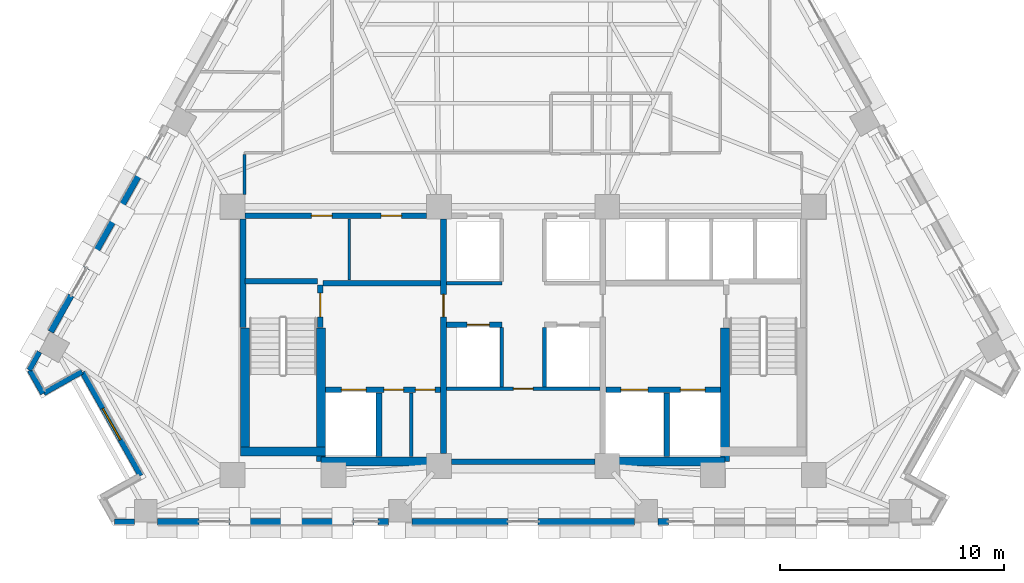
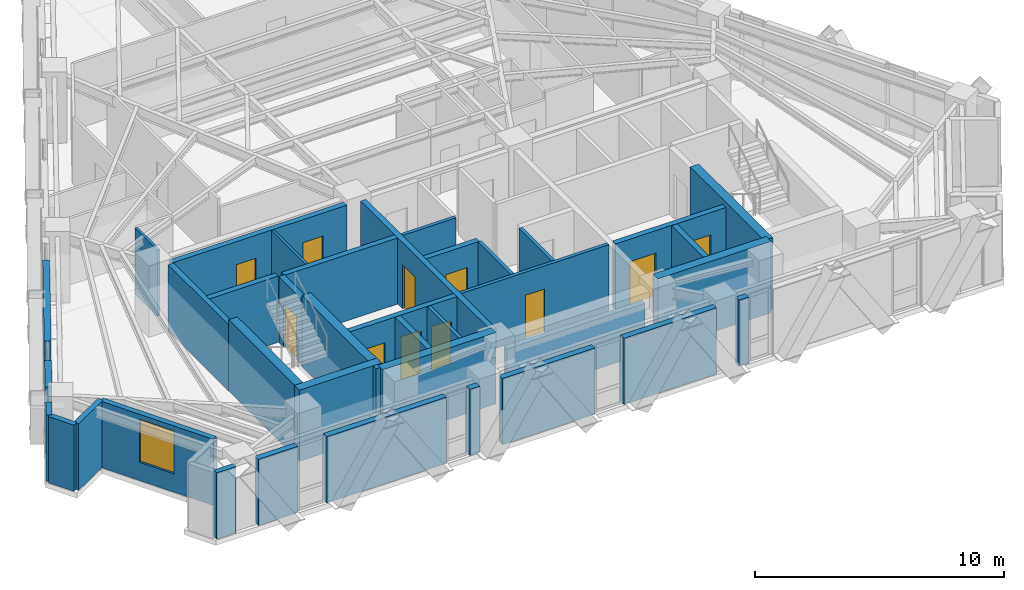
# One storey, part 7 of 13: 38 walls, 11 doors, 1 window, 12 openings.
"""IFC4 building model written with IfcOpenShell, lengths in metres."""

from ifc_helpers import new_model, si_unit, direction, frame, frame_2d, origin, place, context, subcontext, project, spatial, rectangle, extrude, material, layer, layer_set, type_object, element, fill, save


model = new_model("IFC4")

# Units and contexts
model_context = context("Model", 3, precision=1e-05, world=origin(), true_north=direction((0.0, 1.0)))
body_context = subcontext(model_context, "Body", "Model", "MODEL_VIEW")
ifc_project = project(units=[si_unit("LENGTHUNIT", "METRE"), si_unit("AREAUNIT", "SQUARE_METRE"), si_unit("VOLUMEUNIT", "CUBIC_METRE"), si_unit("PLANEANGLEUNIT", "RADIAN"), si_unit("MASSUNIT", "GRAM", prefix="KILO")], contexts=[model_context])

# Site, building, storey
site_placement = place(None, origin())
site = spatial("IfcSite", under=ifc_project, at=site_placement, CompositionType="ELEMENT")
building_placement = place(site_placement, origin())
building = spatial("IfcBuilding", under=site, at=building_placement, Name="Quenlor Broadcast Tower", CompositionType="ELEMENT")
storey_placement = place(building_placement, frame((0.0, 0.0, 158.0)))
storey = spatial("IfcBuildingStorey", under=building, at=storey_placement, Name="L43", CompositionType="ELEMENT", Elevation=158.0)

# Walls
ifc_material_1 = material(Name="Concrete C50/60", Category="concrete")
ifc_layer_1 = layer(ifc_material_1, 0.39990234375)
ifc_layer_set_1 = layer_set([ifc_layer_1], Name="Core Concrete C50/60 Shear Wall 400")
wall_type_1 = type_object("IfcWallType", Name="Core Concrete C50/60 Shear Wall 400", PredefinedType="SHEAR", material=ifc_layer_set_1)
wall_1_placement = place(storey_placement, frame((-12.60009765625, -15.699951171875, 0.0), z_axis=(0.0, 0.0, 1.0), x_axis=(1.0, 0.0, 0.0)))
element("IfcWall", 1, at=wall_1_placement, inside=storey, type_object=wall_type_1, Name="L43 Core Shear Wall WS-W1", PredefinedType="SHEAR", context=body_context, shape_type="SweptSolid", body=[
    extrude(rectangle(XDim=3.800048828125, YDim=0.39990234375, at=frame_2d((1.89990234375, 0.0))), origin(), (0.0, 0.0, 1.0), 3.5),
])
for number, where, z_axis, x_axis, name in (
    (2, (-9.0, -16.14990234375, 0.0), (0.0, 0.0, 1.0), (1.0, 0.0, 0.0), "L43 Core Shear Wall WS-W2"),
    (3, (3.75, -16.14990234375, 0.0), (0.0, 0.0, 1.0), (1.0, 0.0, 0.0), "L43 Core Shear Wall WS-E1"),
):
    element("IfcWall", number, at=place(storey_placement, frame(where, z_axis=z_axis, x_axis=x_axis)), inside=storey, type_object=wall_type_1, Name=name, PredefinedType="SHEAR", context=body_context, shape_type="SweptSolid", body=[
        extrude(rectangle(XDim=5.25, YDim=0.39990234375, at=frame_2d((2.625, 0.0))), origin(), (0.0, 0.0, 1.0), 3.5),
    ])
wall_2_placement = place(storey_placement, frame((-12.39990234375, -15.699951171875, 0.0), z_axis=(0.0, 0.0, 1.0), x_axis=(0.0, 1.0, 0.0)))
element("IfcWall", 4, at=wall_2_placement, inside=storey, type_object=wall_type_1, Name="L43 Core Shear Wall WF-W", PredefinedType="SHEAR", context=body_context, shape_type="SweptSolid", body=[
    extrude(rectangle(XDim=5.5, YDim=0.39990234375, at=frame_2d((2.75, 0.0))), origin(), (0.0, 0.0, 1.0), 3.5),
])
for number, where, z_axis, x_axis, name in (
    (5, (-9.0, -16.14990234375, 0.0), (0.0, 0.0, 1.0), (0.0, 1.0, 0.0), "L43 Core Shear Wall WI-W"),
    (6, (9.0, -16.14990234375, 0.0), (0.0, 0.0, 1.0), (0.0, 1.0, 0.0), "L43 Core Shear Wall WI-E"),
):
    element("IfcWall", number, at=place(storey_placement, frame(where, z_axis=z_axis, x_axis=x_axis)), inside=storey, type_object=wall_type_1, Name=name, PredefinedType="SHEAR", context=body_context, shape_type="SweptSolid", body=[
        extrude(rectangle(XDim=5.949951171875, YDim=0.39990234375, at=frame_2d((2.97509765625, 0.0))), origin(), (0.0, 0.0, 1.0), 3.5),
    ])

# Wall, opening, door
ifc_material_2 = material(Name="Concrete C40/50", Category="concrete")
ifc_layer_2 = layer(ifc_material_2, 0.25)
ifc_layer_set_2 = layer_set([ifc_layer_2], Name="Fire Rated Concrete C40/50 Core Wall 250")
wall_type_2 = type_object("IfcWallType", Name="Fire Rated Concrete C40/50 Core Wall 250", PredefinedType="PARTITIONING", material=ifc_layer_set_2)
wall_3_placement = place(storey_placement, frame((-9.0400390625, -10.179931640625, 0.0), z_axis=(0.0, 0.0, 1.0), x_axis=(0.0, 1.0, 0.0)))
wall_3 = element("IfcWall", 7, at=wall_3_placement, inside=storey, type_object=wall_type_2, Name="L43 Interior Wall CW-ST1-DR", PredefinedType="PARTITIONING", context=body_context, shape_type="SweptSolid", body=[
    extrude(rectangle(XDim=1.89990234375, YDim=0.25, at=frame_2d((0.949951171875, 0.0))), origin(), (0.0, 0.0, 1.0), 3.25),
])
opening_1_placement = place(wall_3_placement, frame((0.47998046875, 0.0, 0.0)))
opening_1 = element("IfcOpeningElement", 8, at=opening_1_placement, cuts=wall_3, Name="Opening FD-1", PredefinedType="OPENING", context=body_context, shape_type="SweptSolid", body=[
    extrude(rectangle(XDim=1.050048828125, YDim=2.14990234375, at=frame_2d((0.52490234375, 1.074951171875))), frame((0.0, 0.135009765625, 0.0), z_axis=(0.0, -1.0, 0.0), x_axis=(1.0, 0.0, 0.0)), (0.0, 0.0, 1.0), 0.27001953125),
])
ifc_material_3 = material(Name="Fire Rated Steel Door Leaf", Category="steel")
door_type_1 = type_object("IfcDoorType", Name="Fire Isolated Stair Door 1050x2150", OperationType="NOTDEFINED", PredefinedType="DOOR", material=ifc_material_3)
door_1_placement = place(opening_1_placement, origin())
door_1 = element("IfcDoor", 9, at=door_1_placement, inside=storey, type_object=door_type_1, Name="L43 Door DR-ST1", OperationType="SINGLE_SWING_LEFT", OverallHeight=2.14990234375, OverallWidth=1.050048828125, PredefinedType="DOOR", context=body_context, shape_type="SweptSolid", body=[
    extrude(rectangle(XDim=1.050048828125, YDim=2.14990234375, at=frame_2d((0.52490234375, 1.074951171875))), frame((0.0, 0.02490234375, 0.0), z_axis=(0.0, -1.0, 0.0), x_axis=(1.0, 0.0, 0.0)), (0.0, 0.0, 1.0), 0.050048828125),
])
fill(opening_1, door_1)

# Walls
wall_4_placement = place(storey_placement, frame((-12.3798828125, -8.1201171875, 0.0), z_axis=(0.0, 0.0, 1.0), x_axis=(1.0, 0.0, 0.0)))
element("IfcWall", 10, at=wall_4_placement, inside=storey, type_object=wall_type_2, Name="L43 Interior Wall CW-ST1-N", PredefinedType="PARTITIONING", context=body_context, shape_type="SweptSolid", body=[
    extrude(rectangle(XDim=3.219970703125, YDim=0.25, at=frame_2d((1.60986328125, 0.0))), origin(), (0.0, 0.0, 1.0), 3.25),
])
wall_5_placement = place(storey_placement, frame((-12.47998046875, -10.179931640625, 0.0), z_axis=(0.0, 0.0, 1.0), x_axis=(0.0, 1.0, 0.0)))
element("IfcWall", 11, at=wall_5_placement, inside=storey, type_object=wall_type_2, Name="L43 Interior Wall CW-ST1-W2", PredefinedType="PARTITIONING", context=body_context, shape_type="SweptSolid", body=[
    extrude(rectangle(XDim=4.827880859375, YDim=0.25, at=frame_2d((2.4140625, 0.0))), origin(), (0.0, 0.0, 1.0), 3.25),
])

# Wall, openings, doors
wall_6_placement = place(storey_placement, frame((-8.798095703125, -12.949951171875, 0.0), z_axis=(0.0, 0.0, 1.0), x_axis=(1.0, 0.0, 0.0)))
wall_6 = element("IfcWall", 12, at=wall_6_placement, inside=storey, type_object=wall_type_2, Name="L43 Interior Wall CW-FFW-S", PredefinedType="PARTITIONING", context=body_context, shape_type="SweptSolid", body=[
    extrude(rectangle(XDim=5.1181640625, YDim=0.25, at=frame_2d((2.55908203125, 0.0))), origin(), (0.0, 0.0, 1.0), 3.25),
])
opening_2_placement = place(wall_6_placement, frame((0.697998046875, 0.0, 0.0)))
opening_2 = element("IfcOpeningElement", 13, at=opening_2_placement, cuts=wall_6, Name="Opening LD-FFL-1", PredefinedType="OPENING", context=body_context, shape_type="SweptSolid", body=[
    extrude(rectangle(XDim=1.10009765625, YDim=2.14990234375, at=frame_2d((0.550048828125, 1.074951171875))), frame((0.0, 0.135009765625, 0.0), z_axis=(0.0, -1.0, 0.0), x_axis=(1.0, 0.0, 0.0)), (0.0, 0.0, 1.0), 0.27001953125),
])
opening_3_placement = place(wall_6_placement, frame((2.597900390625, 0.0, 0.0)))
opening_3 = element("IfcOpeningElement", 14, at=opening_3_placement, cuts=wall_6, Name="Opening TD-1", PredefinedType="OPENING", context=body_context, shape_type="SweptSolid", body=[
    extrude(rectangle(XDim=0.8798828125, YDim=2.10009765625, at=frame_2d((0.43994140625, 1.050048828125))), frame((0.0, 0.135009765625, 0.0), z_axis=(0.0, -1.0, 0.0), x_axis=(1.0, 0.0, 0.0)), (0.0, 0.0, 1.0), 0.27001953125),
])
opening_4_placement = place(wall_6_placement, frame((3.998046875, 0.0, 0.0)))
opening_4 = element("IfcOpeningElement", 15, at=opening_4_placement, cuts=wall_6, Name="Opening TD-1", PredefinedType="OPENING", context=body_context, shape_type="SweptSolid", body=[
    extrude(rectangle(XDim=0.8798828125, YDim=2.10009765625, at=frame_2d((0.43994140625, 1.050048828125))), frame((0.0, 0.135009765625, 0.0), z_axis=(0.0, -1.0, 0.0), x_axis=(1.0, 0.0, 0.0)), (0.0, 0.0, 1.0), 0.27001953125),
])
ifc_material_4 = material(Name="Brushed Stainless Steel", Category="steel")
door_type_2 = type_object("IfcDoorType", Name="Emergency Lift Sliding Landing Door 1100x2150", OperationType="NOTDEFINED", PredefinedType="DOOR", material=ifc_material_4)
door_2_placement = place(opening_2_placement, origin())
door_2 = element("IfcDoor", 16, at=door_2_placement, inside=storey, type_object=door_type_2, Name="L43 Door LD-FFL-1", OperationType="SLIDING_TO_LEFT", OverallHeight=2.14990234375, OverallWidth=1.10009765625, PredefinedType="DOOR", context=body_context, shape_type="SweptSolid", body=[
    extrude(rectangle(XDim=1.10009765625, YDim=2.14990234375, at=frame_2d((0.550048828125, 1.074951171875))), frame((0.0, 0.02490234375, 0.0), z_axis=(0.0, -1.0, 0.0), x_axis=(1.0, 0.0, 0.0)), (0.0, 0.0, 1.0), 0.050048828125),
])
fill(opening_2, door_2)
ifc_material_5 = material(Name="Fire Rated Steel Access Panel", Category="steel")
door_type_3 = type_object("IfcDoorType", Name="Riser Shaft Rated Access Trapdoor 880x2100", OperationType="NOTDEFINED", PredefinedType="TRAPDOOR", material=ifc_material_5)
door_3_placement = place(opening_3_placement, origin())
door_3 = element("IfcDoor", 17, at=door_3_placement, inside=storey, type_object=door_type_3, Name="L43 Door DR-ELR", OperationType="SINGLE_SWING_LEFT", OverallHeight=2.10009765625, OverallWidth=0.8798828125, PredefinedType="TRAPDOOR", context=body_context, shape_type="SweptSolid", body=[
    extrude(rectangle(XDim=0.8798828125, YDim=2.10009765625, at=frame_2d((0.43994140625, 1.050048828125))), frame((0.0, 0.02490234375, 0.0), z_axis=(0.0, -1.0, 0.0), x_axis=(1.0, 0.0, 0.0)), (0.0, 0.0, 1.0), 0.050048828125),
])
fill(opening_3, door_3)
door_4_placement = place(opening_4_placement, origin())
door_4 = element("IfcDoor", 18, at=door_4_placement, inside=storey, type_object=door_type_3, Name="L43 Door DR-CMR", OperationType="SINGLE_SWING_RIGHT", OverallHeight=2.10009765625, OverallWidth=0.8798828125, PredefinedType="TRAPDOOR", context=body_context, shape_type="SweptSolid", body=[
    extrude(rectangle(XDim=0.8798828125, YDim=2.10009765625, at=frame_2d((0.43994140625, 1.050048828125))), frame((0.0, 0.02490234375, 0.0), z_axis=(0.0, -1.0, 0.0), x_axis=(1.0, 0.0, 0.0)), (0.0, 0.0, 1.0), 0.050048828125),
])
fill(opening_4, door_4)

wall_7_placement = place(storey_placement, frame((3.679931640625, -12.949951171875, 0.0), z_axis=(0.0, 0.0, 1.0), x_axis=(1.0, 0.0, 0.0)))
wall_7 = element("IfcWall", 19, at=wall_7_placement, inside=storey, type_object=wall_type_2, Name="L43 Interior Wall CW-FFE-S", PredefinedType="PARTITIONING", context=body_context, shape_type="SweptSolid", body=[
    extrude(rectangle(XDim=5.1181640625, YDim=0.25, at=frame_2d((2.55908203125, 0.0))), origin(), (0.0, 0.0, 1.0), 3.25),
])
opening_5_placement = place(wall_7_placement, frame((3.320068359375, 0.0, 0.0)))
opening_5 = element("IfcOpeningElement", 20, at=opening_5_placement, cuts=wall_7, Name="Opening LD-FFL-2", PredefinedType="OPENING", context=body_context, shape_type="SweptSolid", body=[
    extrude(rectangle(XDim=1.10009765625, YDim=2.14990234375, at=frame_2d((0.550048828125, 1.074951171875))), frame((0.0, 0.135009765625, 0.0), z_axis=(0.0, -1.0, 0.0), x_axis=(1.0, 0.0, 0.0)), (0.0, 0.0, 1.0), 0.27001953125),
])
opening_6_placement = place(wall_7_placement, frame((0.669921875, 0.0, 0.0)))
opening_6 = element("IfcOpeningElement", 21, at=opening_6_placement, cuts=wall_7, Name="Opening LD-SVL-1", PredefinedType="OPENING", context=body_context, shape_type="SweptSolid", body=[
    extrude(rectangle(XDim=1.199951171875, YDim=2.14990234375, at=frame_2d((0.60009765625, 1.074951171875))), frame((0.0, 0.135009765625, 0.0), z_axis=(0.0, -1.0, 0.0), x_axis=(1.0, 0.0, 0.0)), (0.0, 0.0, 1.0), 0.27001953125),
])
door_5_placement = place(opening_5_placement, origin())
door_5 = element("IfcDoor", 22, at=door_5_placement, inside=storey, type_object=door_type_2, Name="L43 Door LD-FFL-2", OperationType="SLIDING_TO_RIGHT", OverallHeight=2.14990234375, OverallWidth=1.10009765625, PredefinedType="DOOR", context=body_context, shape_type="SweptSolid", body=[
    extrude(rectangle(XDim=1.10009765625, YDim=2.14990234375, at=frame_2d((0.550048828125, 1.074951171875))), frame((0.0, 0.02490234375, 0.0), z_axis=(0.0, -1.0, 0.0), x_axis=(1.0, 0.0, 0.0)), (0.0, 0.0, 1.0), 0.050048828125),
])
fill(opening_5, door_5)
ifc_material_6 = material(Name="Brushed Stainless Steel", Category="steel")
door_type_4 = type_object("IfcDoorType", Name="Goods Lift Sliding Landing Door 1200x2150", OperationType="NOTDEFINED", PredefinedType="DOOR", material=ifc_material_6)
door_6_placement = place(opening_6_placement, origin())
door_6 = element("IfcDoor", 23, at=door_6_placement, inside=storey, type_object=door_type_4, Name="L43 Door LD-SVL-1", OperationType="SLIDING_TO_LEFT", OverallHeight=2.14990234375, OverallWidth=1.199951171875, PredefinedType="DOOR", context=body_context, shape_type="SweptSolid", body=[
    extrude(rectangle(XDim=1.199951171875, YDim=2.14990234375, at=frame_2d((0.60009765625, 1.074951171875))), frame((0.0, 0.02490234375, 0.0), z_axis=(0.0, -1.0, 0.0), x_axis=(1.0, 0.0, 0.0)), (0.0, 0.0, 1.0), 0.050048828125),
])
fill(opening_6, door_6)

# Walls
for number, where, z_axis, x_axis, name in (
    (24, (-6.419921875, -15.919921875, 0.0), (0.0, 0.0, 1.0), (0.0, 1.0, 0.0), "L43 Interior Wall CW-FF1-E"),
    (25, (6.39990234375, -15.919921875, 0.0), (0.0, 0.0, 1.0), (0.0, 1.0, 0.0), "L43 Interior Wall CW-SV1-E"),
):
    element("IfcWall", number, at=place(storey_placement, frame(where, z_axis=z_axis, x_axis=x_axis)), inside=storey, type_object=wall_type_2, Name=name, PredefinedType="PARTITIONING", context=body_context, shape_type="SweptSolid", body=[
        extrude(rectangle(XDim=2.829833984375, YDim=0.25, at=frame_2d((1.4150390625, 0.0))), origin(), (0.0, 0.0, 1.0), 3.25),
    ])
wall_8_placement = place(storey_placement, frame((-8.919921875, -8.199951171875, 0.0), z_axis=(0.0, 0.0, 1.0), x_axis=(1.0, 0.0, 0.0)))
element("IfcWall", 26, at=wall_8_placement, inside=storey, type_object=wall_type_2, Name="L43 Interior Wall CW-FFW-N", PredefinedType="PARTITIONING", context=body_context, shape_type="SweptSolid", body=[
    extrude(rectangle(XDim=5.239990234375, YDim=0.25, at=frame_2d((2.6201171875, 0.0))), origin(), (0.0, 0.0, 1.0), 3.25),
])

# Wall, opening, door
wall_9_placement = place(storey_placement, frame((-3.550048828125, -15.798095703125, 0.0), z_axis=(0.0, 0.0, 1.0), x_axis=(0.0, 1.0, 0.0)))
wall_9 = element("IfcWall", 27, at=wall_9_placement, inside=storey, type_object=wall_type_2, Name="L43 Interior Wall CW-FFW-E", PredefinedType="PARTITIONING", context=body_context, shape_type="SweptSolid", body=[
    extrude(rectangle(XDim=10.446044921875, YDim=0.25, at=frame_2d((5.22314453125, 0.0))), origin(), (0.0, 0.0, 1.0), 3.25),
])
opening_7_placement = place(wall_9_placement, frame((6.097900390625, 0.0, 0.0)))
opening_7 = element("IfcOpeningElement", 28, at=opening_7_placement, cuts=wall_9, Name="Opening FD-2", PredefinedType="OPENING", context=body_context, shape_type="SweptSolid", body=[
    extrude(rectangle(XDim=1.0, YDim=2.14990234375, at=frame_2d((0.5, 1.074951171875))), frame((0.0, 0.135009765625, 0.0), z_axis=(0.0, -1.0, 0.0), x_axis=(1.0, 0.0, 0.0)), (0.0, 0.0, 1.0), 0.27001953125),
])
ifc_material_7 = material(Name="Fire Rated Glazed Steel Door", Category="steel")
door_type_5 = type_object("IfcDoorType", Name="Firefighting Lobby Smoke Door 1000x2150", OperationType="NOTDEFINED", PredefinedType="DOOR", material=ifc_material_7)
door_7_placement = place(opening_7_placement, origin())
door_7 = element("IfcDoor", 29, at=door_7_placement, inside=storey, type_object=door_type_5, Name="L43 Door DR-FFLW", OperationType="SINGLE_SWING_RIGHT", OverallHeight=2.14990234375, OverallWidth=1.0, PredefinedType="DOOR", context=body_context, shape_type="SweptSolid", body=[
    extrude(rectangle(XDim=1.0, YDim=2.14990234375, at=frame_2d((0.5, 1.074951171875))), frame((0.0, 0.02490234375, 0.0), z_axis=(0.0, -1.0, 0.0), x_axis=(1.0, 0.0, 0.0)), (0.0, 0.0, 1.0), 0.050048828125),
])
fill(opening_7, door_7)

# Wall, openings, doors
wall_10_placement = place(storey_placement, frame((-12.39794921875, -5.199951171875, 0.0), z_axis=(0.0, 0.0, 1.0), x_axis=(1.0, 0.0, 0.0)))
wall_10 = element("IfcWall", 30, at=wall_10_placement, inside=storey, type_object=wall_type_2, Name="L43 Interior Wall CW-N-W", PredefinedType="PARTITIONING", context=body_context, shape_type="SweptSolid", body=[
    extrude(rectangle(XDim=8.095947265625, YDim=0.25, at=frame_2d((4.0478515625, 0.0))), origin(), (0.0, 0.0, 1.0), 3.25),
])
opening_8_placement = place(wall_10_placement, frame((2.968017578125, 0.0, 0.0)))
opening_8 = element("IfcOpeningElement", 31, at=opening_8_placement, cuts=wall_10, Name="Opening ID-1", PredefinedType="OPENING", context=body_context, shape_type="SweptSolid", body=[
    extrude(rectangle(XDim=0.919921875, YDim=2.1201171875, at=frame_2d((0.4599609375, 1.06005859375))), frame((0.0, 0.135009765625, 0.0), z_axis=(0.0, -1.0, 0.0), x_axis=(1.0, 0.0, 0.0)), (0.0, 0.0, 1.0), 0.27001953125),
])
opening_9_placement = place(wall_10_placement, frame((6.068115234375, 0.0, 0.0)))
opening_9 = element("IfcOpeningElement", 32, at=opening_9_placement, cuts=wall_10, Name="Opening ID-1", PredefinedType="OPENING", context=body_context, shape_type="SweptSolid", body=[
    extrude(rectangle(XDim=0.919921875, YDim=2.1201171875, at=frame_2d((0.4599609375, 1.06005859375))), frame((0.0, 0.135009765625, 0.0), z_axis=(0.0, -1.0, 0.0), x_axis=(1.0, 0.0, 0.0)), (0.0, 0.0, 1.0), 0.27001953125),
])
ifc_material_8 = material(Name="Solid Core Timber Oak", Category="wood")
door_type_6 = type_object("IfcDoorType", Name="Single Leaf Timber Office Door 920x2120", OperationType="NOTDEFINED", PredefinedType="DOOR", material=ifc_material_8)
door_8_placement = place(opening_8_placement, origin())
door_8 = element("IfcDoor", 33, at=door_8_placement, inside=storey, type_object=door_type_6, Name="L43 Door DR-RCL1", OperationType="SINGLE_SWING_LEFT", OverallHeight=2.1201171875, OverallWidth=0.919921875, PredefinedType="DOOR", context=body_context, shape_type="SweptSolid", body=[
    extrude(rectangle(XDim=0.919921875, YDim=2.1201171875, at=frame_2d((0.4599609375, 1.06005859375))), frame((0.0, 0.02490234375, 0.0), z_axis=(0.0, -1.0, 0.0), x_axis=(1.0, 0.0, 0.0)), (0.0, 0.0, 1.0), 0.050048828125),
])
fill(opening_8, door_8)
door_9_placement = place(opening_9_placement, origin())
door_9 = element("IfcDoor", 34, at=door_9_placement, inside=storey, type_object=door_type_6, Name="L43 Door DR-RCL2", OperationType="SINGLE_SWING_RIGHT", OverallHeight=2.1201171875, OverallWidth=0.919921875, PredefinedType="DOOR", context=body_context, shape_type="SweptSolid", body=[
    extrude(rectangle(XDim=0.919921875, YDim=2.1201171875, at=frame_2d((0.4599609375, 1.06005859375))), frame((0.0, 0.02490234375, 0.0), z_axis=(0.0, -1.0, 0.0), x_axis=(1.0, 0.0, 0.0)), (0.0, 0.0, 1.0), 0.050048828125),
])
fill(opening_9, door_9)

# Wall
wall_11_placement = place(storey_placement, frame((-3.197998046875, -16.14990234375, 0.0), z_axis=(0.0, 0.0, 1.0), x_axis=(1.0, 0.0, 0.0)))
element("IfcWall", 35, at=wall_11_placement, inside=storey, type_object=wall_type_2, Name="L43 Interior Wall CW-MS-S", PredefinedType="PARTITIONING", context=body_context, shape_type="SweptSolid", body=[
    extrude(rectangle(XDim=6.39599609375, YDim=0.25, at=frame_2d((3.197998046875, 0.0))), origin(), (0.0, 0.0, 1.0), 2.449951171875),
])

# Wall, opening, door
wall_12_placement = place(storey_placement, frame((-3.419921875, -10.050048828125, 0.0), z_axis=(0.0, 0.0, 1.0), x_axis=(1.0, 0.0, 0.0)))
wall_12 = element("IfcWall", 36, at=wall_12_placement, inside=storey, type_object=wall_type_2, Name="L43 Interior Wall CW-MS-N1", PredefinedType="PARTITIONING", context=body_context, shape_type="SweptSolid", body=[
    extrude(rectangle(XDim=2.469970703125, YDim=0.25, at=frame_2d((1.23486328125, 0.0))), origin(), (0.0, 0.0, 1.0), 3.25),
])
opening_10_placement = place(wall_12_placement, frame((0.919921875, 0.0, 0.0)))
opening_10 = element("IfcOpeningElement", 37, at=opening_10_placement, cuts=wall_12, Name="Opening LD-PL-M3", PredefinedType="OPENING", context=body_context, shape_type="SweptSolid", body=[
    extrude(rectangle(XDim=1.0, YDim=2.14990234375, at=frame_2d((0.5, 1.074951171875))), frame((0.0, 0.135009765625, 0.0), z_axis=(0.0, -1.0, 0.0), x_axis=(1.0, 0.0, 0.0)), (0.0, 0.0, 1.0), 0.27001953125),
])
ifc_material_9 = material(Name="Brushed Stainless Steel", Category="steel")
door_type_7 = type_object("IfcDoorType", Name="Passenger Lift Sliding Landing Door 1000x2150", OperationType="NOTDEFINED", PredefinedType="DOOR", material=ifc_material_9)
door_10_placement = place(opening_10_placement, origin())
door_10 = element("IfcDoor", 38, at=door_10_placement, inside=storey, type_object=door_type_7, Name="L43 Door LD-PL-M3", OperationType="SLIDING_TO_LEFT", OverallHeight=2.14990234375, OverallWidth=1.0, PredefinedType="DOOR", context=body_context, shape_type="SweptSolid", body=[
    extrude(rectangle(XDim=1.0, YDim=2.14990234375, at=frame_2d((0.5, 1.074951171875))), frame((0.0, 0.02490234375, 0.0), z_axis=(0.0, -1.0, 0.0), x_axis=(1.0, 0.0, 0.0)), (0.0, 0.0, 1.0), 0.050048828125),
])
fill(opening_10, door_10)

# Walls
ifc_material_10 = material(Name="Gypsum Fireboard Partition", Category="other")
ifc_layer_3 = layer(ifc_material_10, 0.159912109375)
ifc_layer_set_3 = layer_set([ifc_layer_3], Name="Fire Rated Shaft and Corridor Partition 160")
wall_type_3 = type_object("IfcWallType", Name="Fire Rated Shaft and Corridor Partition 160", PredefinedType="PARTITIONING", material=ifc_layer_set_3)
wall_13_placement = place(storey_placement, frame((-4.97998046875, -15.919921875, 0.0), z_axis=(0.0, 0.0, 1.0), x_axis=(0.0, 1.0, 0.0)))
element("IfcWall", 39, at=wall_13_placement, inside=storey, type_object=wall_type_3, Name="L43 Interior Wall CW-ELR-E", PredefinedType="PARTITIONING", context=body_context, shape_type="SweptSolid", body=[
    extrude(rectangle(XDim=2.829833984375, YDim=0.159912109375, at=frame_2d((1.4150390625, 0.0))), origin(), (0.0, 0.0, 1.0), 3.25),
])
wall_14_placement = place(storey_placement, frame((-3.419921875, -8.199951171875, 0.0), z_axis=(0.0, 0.0, 1.0), x_axis=(1.0, 0.0, 0.0)))
element("IfcWall", 40, at=wall_14_placement, inside=storey, type_object=wall_type_3, Name="L43 Interior Wall CW-M-BACK1", PredefinedType="PARTITIONING", context=body_context, shape_type="SweptSolid", body=[
    extrude(rectangle(XDim=2.469970703125, YDim=0.159912109375, at=frame_2d((1.23486328125, 0.0))), origin(), (0.0, 0.0, 1.0), 3.25),
])

# Wall, opening, door
wall_15_placement = place(storey_placement, frame((-3.419921875, -12.89990234375, 0.0), z_axis=(0.0, 0.0, 1.0), x_axis=(1.0, 0.0, 0.0)))
wall_15 = element("IfcWall", 41, at=wall_15_placement, inside=storey, type_object=wall_type_3, Name="L43 Interior Wall CW-MS-B", PredefinedType="PARTITIONING", context=body_context, shape_type="SweptSolid", body=[
    extrude(rectangle(XDim=6.83984375, YDim=0.159912109375, at=frame_2d((3.419921875, 0.0))), origin(), (0.0, 0.0, 1.0), 3.25),
])
opening_11_placement = place(wall_15_placement, frame((2.97998046875, 0.0, 0.0)))
opening_11 = element("IfcOpeningElement", 42, at=opening_11_placement, cuts=wall_15, Name="Opening ID-4", PredefinedType="OPENING", context=body_context, shape_type="SweptSolid", body=[
    extrude(rectangle(XDim=0.8798828125, YDim=2.1201171875, at=frame_2d((0.43994140625, 1.06005859375))), frame((0.0, 0.08984375, 0.0), z_axis=(0.0, -1.0, 0.0), x_axis=(1.0, 0.0, 0.0)), (0.0, 0.0, 1.0), 0.179931640625),
])
ifc_material_11 = material(Name="Solid Core Timber Oak", Category="wood")
door_type_8 = type_object("IfcDoorType", Name="Service Closet Timber Door 880x2120", OperationType="NOTDEFINED", PredefinedType="DOOR", material=ifc_material_11)
door_11_placement = place(opening_11_placement, origin())
door_11 = element("IfcDoor", 43, at=door_11_placement, inside=storey, type_object=door_type_8, Name="L43 Door DR-CSV0", OperationType="SINGLE_SWING_LEFT", OverallHeight=2.1201171875, OverallWidth=0.8798828125, PredefinedType="DOOR", context=body_context, shape_type="SweptSolid", body=[
    extrude(rectangle(XDim=0.8798828125, YDim=2.1201171875, at=frame_2d((0.43994140625, 1.06005859375))), frame((0.0, 0.02490234375, 0.0), z_axis=(0.0, -1.0, 0.0), x_axis=(1.0, 0.0, 0.0)), (0.0, 0.0, 1.0), 0.050048828125),
])
fill(opening_11, door_11)

# Walls
for number, where, z_axis, x_axis, name in (
    (44, (-0.949951171875, -12.818115234375, 0.0), (0.0, 0.0, 1.0), (0.0, 1.0, 0.0), "L43 Interior Wall CW-MS-W"),
    (45, (0.949951171875, -12.818115234375, 0.0), (0.0, 0.0, 1.0), (0.0, 1.0, 0.0), "L43 Interior Wall CW-MS-E"),
):
    element("IfcWall", number, at=place(storey_placement, frame(where, z_axis=z_axis, x_axis=x_axis)), inside=storey, type_object=wall_type_3, Name=name, PredefinedType="PARTITIONING", context=body_context, shape_type="SweptSolid", body=[
        extrude(rectangle(XDim=2.63818359375, YDim=0.159912109375, at=frame_2d((1.319091796875, 0.0))), origin(), (0.0, 0.0, 1.0), 3.25),
    ])
ifc_material_12 = material(Name="Gypsum Plasterboard Partition", Category="other")
ifc_layer_4 = layer(ifc_material_12, 0.1201171875)
ifc_layer_set_4 = layer_set([ifc_layer_4], Name="Standard Office Partition 120")
wall_type_4 = type_object("IfcWallType", Name="Standard Office Partition 120", PredefinedType="PARTITIONING", material=ifc_layer_set_4)
wall_16_placement = place(storey_placement, frame((-7.75, -8.072998046875, 0.0), z_axis=(0.0, 0.0, 1.0), x_axis=(0.0, 1.0, 0.0)))
element("IfcWall", 46, at=wall_16_placement, inside=storey, type_object=wall_type_4, Name="L43 Interior Wall CW-RCL-MID", PredefinedType="PARTITIONING", context=body_context, shape_type="SweptSolid", body=[
    extrude(rectangle(XDim=2.73291015625, YDim=0.1201171875, at=frame_2d((1.366455078125, 0.0))), origin(), (0.0, 0.0, 1.0), 3.25),
])
wall_17_placement = place(storey_placement, frame((-12.409912109375, -4.248046875, 0.0), z_axis=(0.0, 0.0, 1.0), x_axis=(0.0, 1.0, 0.0)))
element("IfcWall", 47, at=wall_17_placement, inside=storey, type_object=wall_type_4, Name="L43 Interior Wall PW-CR-09", PredefinedType="PARTITIONING", context=body_context, shape_type="SweptSolid", body=[
    extrude(rectangle(XDim=1.7861328125, YDim=0.1201171875, at=frame_2d((0.89306640625, 0.0))), origin(), (0.0, 0.0, 1.0), 3.25),
])
ifc_material_13 = material(Name="Precast concrete C40/50", Category="concrete")
ifc_layer_5 = layer(ifc_material_13, 0.239990234375)
ifc_layer_set_5 = layer_set([ifc_layer_5], Name="Terrace Threshold Precast Concrete C40/50 Wall 240")
wall_type_5 = type_object("IfcWallType", Name="Terrace Threshold Precast Concrete C40/50 Wall 240", PredefinedType="STANDARD", material=ifc_layer_set_5)
wall_18_placement = place(storey_placement, frame((-17.3134765625, -18.824951171875, 0.0), z_axis=(0.0, 0.0, 1.0), x_axis=(-1.0, 0.0, 0.0)))
element("IfcWall", 48, at=wall_18_placement, inside=storey, type_object=wall_type_5, Name="L43 Exterior Wall L43-SHD-SS1", PredefinedType="STANDARD", context=body_context, shape_type="SweptSolid", body=[
    extrude(rectangle(XDim=0.896484375, YDim=0.239990234375, at=frame_2d((0.4482421875, 0.0))), origin(), (0.0, 0.0, 1.0), 3.25),
])
wall_19_placement = place(storey_placement, frame((-22.003173828125, -12.073486328125, 0.0), z_axis=(0.0, 0.0, 1.0), x_axis=(0.490248718924, 0.871582579905, 0.0)))
element("IfcWall", 49, at=wall_19_placement, inside=storey, type_object=wall_type_5, Name="L43 Exterior Wall L43-SHD-NWS0", PredefinedType="STANDARD", context=body_context, shape_type="SweptSolid", body=[
    extrude(rectangle(XDim=0.92578125, YDim=0.239990234375, at=frame_2d((0.462890625, 0.0))), origin(), (0.0, 0.0, 1.0), 3.25),
])
wall_20_placement = place(storey_placement, frame((-21.976806640625, -12.08349609375, 0.0), z_axis=(0.0, 0.0, 1.0), x_axis=(0.490154352582, -0.871635652463, 0.0)))
element("IfcWall", 50, at=wall_20_placement, inside=storey, type_object=wall_type_5, Name="L43 Exterior Wall L43-CNR-12", PredefinedType="STANDARD", context=body_context, shape_type="SweptSolid", body=[
    extrude(rectangle(XDim=1.19287109375, YDim=0.239990234375, at=frame_2d((0.596435546875, 0.0))), origin(), (0.0, 0.0, 1.0), 3.25),
])
wall_21_placement = place(storey_placement, frame((-21.357421875, -13.103515625, 0.0), z_axis=(0.0, 0.0, 1.0), x_axis=(0.871595493845, 0.490225759328, 0.0)))
element("IfcWall", 51, at=wall_21_placement, inside=storey, type_object=wall_type_5, Name="L43 Exterior Wall L43-CNR-13", PredefinedType="STANDARD", context=body_context, shape_type="SweptSolid", body=[
    extrude(rectangle(XDim=1.960205078125, YDim=0.239990234375, at=frame_2d((0.97998046875, 0.0))), origin(), (0.0, 0.0, 1.0), 3.25),
])

# Wall, opening, window
wall_22_placement = place(storey_placement, frame((-19.62939453125, -12.177490234375, 0.0), z_axis=(0.0, 0.0, 1.0), x_axis=(0.490276606961, -0.871566892824, 0.0)))
wall_22 = element("IfcWall", 52, at=wall_22_placement, inside=storey, type_object=wall_type_5, Name="L43 Exterior Wall L43-CNR-14", PredefinedType="STANDARD", context=body_context, shape_type="SweptSolid", body=[
    extrude(rectangle(XDim=5.280029296875, YDim=0.239990234375, at=frame_2d((2.64013671875, 0.0))), origin(), (0.0, 0.0, 1.0), 3.25),
])
opening_12_placement = place(wall_22_placement, frame((1.840087890625, 0.0, 0.89990234375)))
opening_12 = element("IfcOpeningElement", 53, at=opening_12_placement, cuts=wall_22, Name="Opening WN-2", PredefinedType="OPENING", context=body_context, shape_type="SweptSolid", body=[
    extrude(rectangle(XDim=1.60009765625, YDim=2.10009765625, at=frame_2d((0.800048828125, 1.050048828125))), frame((0.0, 0.1298828125, 0.0), z_axis=(0.0, -1.0, 0.0), x_axis=(1.0, 0.0, 0.0)), (0.0, 0.0, 1.0), 0.260009765625),
])
ifc_material_14 = material(Name="Thermally Broken Aluminium and Low-E Glass", Category="aluminium")
window_type = type_object("IfcWindowType", Name="Tower Studio Punched Window 1600x2100", PartitioningType="SINGLE_PANEL", PredefinedType="WINDOW", material=ifc_material_14)
window_placement = place(opening_12_placement, origin())
window = element("IfcWindow", 54, at=window_placement, inside=storey, type_object=window_type, Name="L43 Corner Chamfer Window 14", OverallHeight=2.10009765625, OverallWidth=1.60009765625, PartitioningType="SINGLE_PANEL", PredefinedType="WINDOW", context=body_context, shape_type="SweptSolid", body=[
    extrude(rectangle(XDim=1.60009765625, YDim=2.10009765625, at=frame_2d((0.800048828125, 1.050048828125))), frame((0.0, 0.030029296875, 0.0), z_axis=(0.0, -1.0, 0.0), x_axis=(1.0, 0.0, 0.0)), (0.0, 0.0, 1.0), 0.06005859375),
])
fill(opening_12, window)

# Walls
ifc_material_15 = material(Name="Precast concrete C40/50", Category="concrete")
ifc_layer_6 = layer(ifc_material_15, 0.280029296875)
ifc_layer_set_6 = layer_set([ifc_layer_6], Name="Terracotta Precast Concrete C40/50 Facade Wall 280")
wall_type_6 = type_object("IfcWallType", Name="Terracotta Precast Concrete C40/50 Facade Wall 280", PredefinedType="STANDARD", material=ifc_layer_set_6)
for number, where, z_axis, x_axis, name in (
    (55, (6.466064453125, -18.824951171875, 0.0), (0.0, 0.0, 1.0), (-1.0, 0.0, 0.0), "L43 Exterior Wall L43-SA-SP3"),
    (56, (-6.006103515625, -18.824951171875, 0.0), (0.0, 0.0, 1.0), (-1.0, 0.0, 0.0), "L43 Exterior Wall L43-SC-SP1"),
):
    element("IfcWall", number, at=place(storey_placement, frame(where, z_axis=z_axis, x_axis=x_axis)), inside=storey, type_object=wall_type_6, Name=name, PredefinedType="STANDARD", context=body_context, shape_type="SweptSolid", body=[
        extrude(rectangle(XDim=0.4599609375, YDim=0.280029296875, at=frame_2d((0.22998046875, 0.0))), origin(), (0.0, 0.0, 1.0), 3.25),
    ])
wall_23_placement = place(storey_placement, frame((-7.556884765625, -18.824951171875, 0.0), z_axis=(0.0, 0.0, 1.0), x_axis=(-1.0, 0.0, 0.0)))
element("IfcWall", 57, at=wall_23_placement, inside=storey, type_object=wall_type_6, Name="L43 Exterior Wall L43-SC-SP2", PredefinedType="STANDARD", context=body_context, shape_type="SweptSolid", body=[
    extrude(rectangle(XDim=5.550048828125, YDim=0.280029296875, at=frame_2d((2.77490234375, 0.0))), origin(), (0.0, 0.0, 1.0), 3.25),
])
wall_24_placement = place(storey_placement, frame((-14.445068359375, -18.824951171875, 0.0), z_axis=(0.0, 0.0, 1.0), x_axis=(-1.0, 0.0, 0.0)))
element("IfcWall", 58, at=wall_24_placement, inside=storey, type_object=wall_type_6, Name="L43 Exterior Wall L43-SC-SP3", PredefinedType="STANDARD", context=body_context, shape_type="SweptSolid", body=[
    extrude(rectangle(XDim=1.83837890625, YDim=0.280029296875, at=frame_2d((0.919189453125, 0.0))), origin(), (0.0, 0.0, 1.0), 3.25),
])
for number, where, z_axis, x_axis, name in (
    (59, (4.9609375, -18.824951171875, 0.0), (0.0, 0.0, 1.0), (-1.0, 0.0, 0.0), "L43 Exterior Wall L43-S-SP1"),
    (60, (-0.6689453125, -18.824951171875, 0.0), (0.0, 0.0, 1.0), (-1.0, 0.0, 0.0), "L43 Exterior Wall L43-S-SP2"),
):
    element("IfcWall", number, at=place(storey_placement, frame(where, z_axis=z_axis, x_axis=x_axis)), inside=storey, type_object=wall_type_6, Name=name, PredefinedType="STANDARD", context=body_context, shape_type="SweptSolid", body=[
        extrude(rectangle(XDim=4.2919921875, YDim=0.280029296875, at=frame_2d((2.14599609375, 0.0))), origin(), (0.0, 0.0, 1.0), 3.25),
    ])
wall_25_placement = place(storey_placement, frame((-21.044189453125, -10.368896484375, 0.0), z_axis=(0.0, 0.0, 1.0), x_axis=(0.490248749158, 0.871582562899, 0.0)))
element("IfcWall", 61, at=wall_25_placement, inside=storey, type_object=wall_type_6, Name="L43 Exterior Wall L43-NWA-SP1", PredefinedType="STANDARD", context=body_context, shape_type="SweptSolid", body=[
    extrude(rectangle(XDim=1.85595703125, YDim=0.280029296875, at=frame_2d((0.927978515625, 0.0))), origin(), (0.0, 0.0, 1.0), 3.25),
])
wall_26_placement = place(storey_placement, frame((-19.452880859375, -7.5400390625, 0.0), z_axis=(0.0, 0.0, 1.0), x_axis=(0.490238645956, 0.871588245682, 0.0)))
element("IfcWall", 62, at=wall_26_placement, inside=storey, type_object=wall_type_6, Name="L43 Exterior Wall L43-NWA-SP2", PredefinedType="STANDARD", context=body_context, shape_type="SweptSolid", body=[
    extrude(rectangle(XDim=5.643310546875, YDim=0.280029296875, at=frame_2d((2.82177734375, 0.0))), origin(), (0.0, 0.0, 1.0), 3.25),
])

save(model, "model.ifc")
